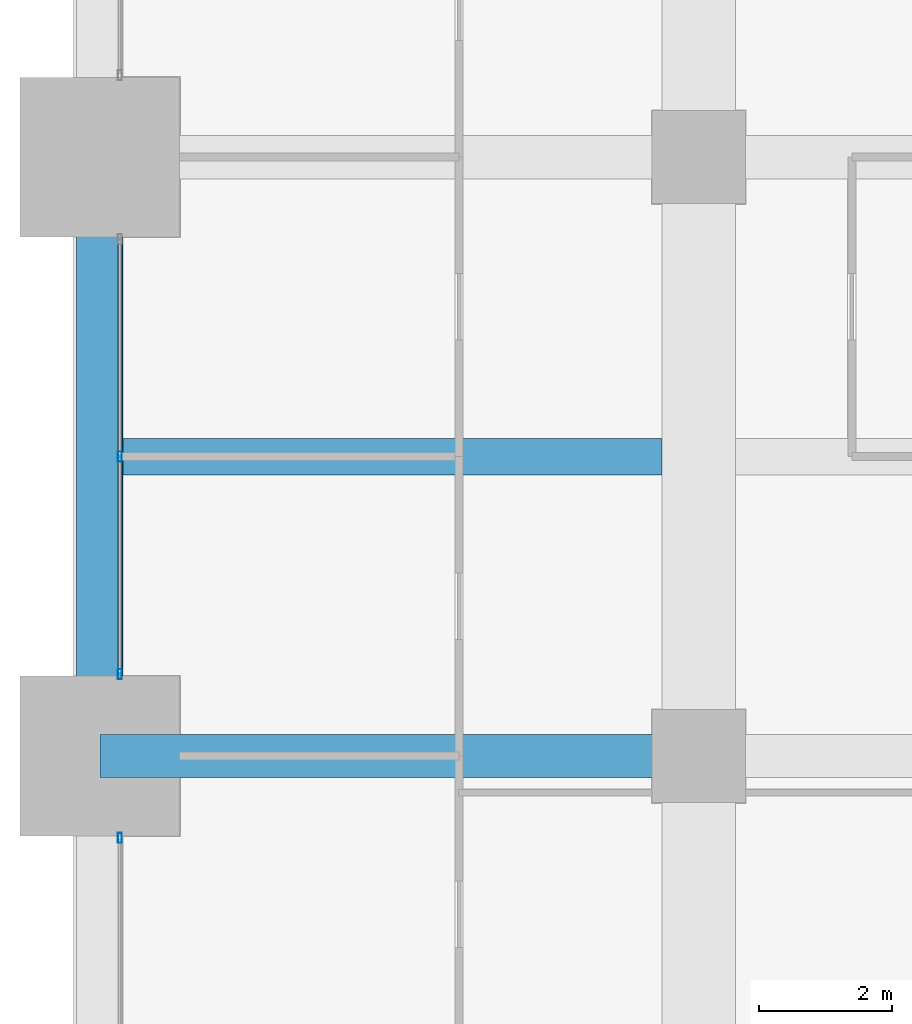
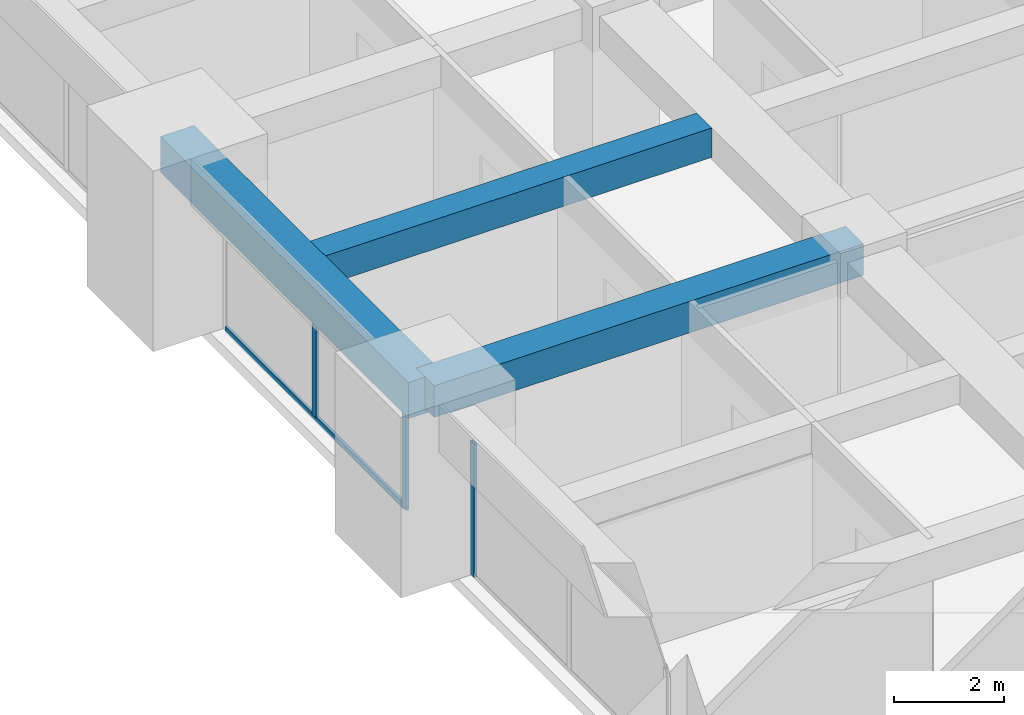
# One storey, part 9 of 34: 4 members, 3 beams, 2 elements without a shape of their own.
"""IFC4 building model written with IfcOpenShell, lengths in metres."""

from ifc_helpers import new_model, si_unit, direction, frame, origin, origin_2d, place, context, subcontext, project, spatial, rectangle, hollow_rectangle, extrude, material, material_profile, profile_set, type_object, element, aggregate, save


model = new_model("IFC4")

# Units and contexts
model_context = context("Model", 3, precision=1e-05, world=origin(), true_north=direction((0.0, 1.0)))
body_context = subcontext(model_context, "Body", "Model", "MODEL_VIEW")
ifc_project = project(units=[si_unit("LENGTHUNIT", "METRE"), si_unit("AREAUNIT", "SQUARE_METRE"), si_unit("VOLUMEUNIT", "CUBIC_METRE"), si_unit("PLANEANGLEUNIT", "RADIAN"), si_unit("MASSUNIT", "GRAM", prefix="KILO")], contexts=[model_context])

# Site, building, storey
site_placement = place(None, origin())
site = spatial("IfcSite", under=ifc_project, at=site_placement, CompositionType="ELEMENT")
building_placement = place(site_placement, origin())
building = spatial("IfcBuilding", under=site, at=building_placement, Name="Zorevar Civic Tower", CompositionType="ELEMENT")
storey_placement = place(building_placement, frame((0.0, 0.0, 214.199951171875)))
storey = spatial("IfcBuildingStorey", under=building, at=storey_placement, Name="L52", CompositionType="ELEMENT", Elevation=214.199951171875)

# Beams
ifc_material_1 = material(Name="Concrete C50/60", Category="concrete")
ifc_material_profile_1 = material_profile(ifc_material_1, rectangle(XDim=0.550048828125, YDim=0.64990234375, at=origin_2d()), Name="RC 550x650")
ifc_profile_set_1 = profile_set([ifc_material_profile_1], Name="Concrete C50/60")
beam_type_1 = type_object("IfcBeamType", Name="Beam RC 550x650", PredefinedType="BEAM", material=ifc_profile_set_1)
beam_1_placement = place(storey_placement, frame((0.35009765625, 22.5, 3.425048828125), z_axis=(1.0, 0.0, 0.0), x_axis=(0.0, 1.0, 0.0)))
element("IfcBeam", 1, at=beam_1_placement, inside=storey, type_object=beam_type_1, Name="Secondary beam L53", PredefinedType="BEAM", context=body_context, shape_type="SweptSolid", body=[
    extrude(rectangle(XDim=0.550048828125, YDim=0.64990234375, at=origin_2d()), origin(), (0.0, 0.0, 1.0), 8.099853515625),
])
ifc_material_2 = material(Name="Concrete C50/60", Category="concrete")
ifc_material_profile_2 = material_profile(ifc_material_2, rectangle(XDim=0.64990234375, YDim=0.699951171875, at=origin_2d()), Name="RC 650x700")
ifc_profile_set_2 = profile_set([ifc_material_profile_2], Name="Concrete C50/60")
beam_type_2 = type_object("IfcBeamType", Name="Beam RC 650x700", PredefinedType="BEAM", material=ifc_profile_set_2)
beam_2_placement = place(storey_placement, frame((0.0, 18.0, 3.400146484375), z_axis=(1.0, 0.0, 0.0), x_axis=(0.0, 1.0, 0.0)))
element("IfcBeam", 2, at=beam_2_placement, inside=storey, type_object=beam_type_2, Name="Girder L53", PredefinedType="BEAM", context=body_context, shape_type="SweptSolid", body=[
    extrude(rectangle(XDim=0.64990234375, YDim=0.699951171875, at=origin_2d()), origin(), (0.0, 0.0, 1.0), 9.0),
])

# Curtain wall, member
ifc_material_3 = material(Name="Dark grey solar-control glass in black aluminium frame", Category="aluminium")
curtain_wall_type = type_object("IfcCurtainWallType", Name="Curtain wall CW4 high zone", PredefinedType="NOTDEFINED", material=ifc_material_3)
curtain_wall_1_placement = place(storey_placement, origin())
curtain_wall_1 = element("IfcCurtainWall", 3, at=curtain_wall_1_placement, inside=storey, type_object=curtain_wall_type, Name="CW4 L52", PredefinedType="NOTDEFINED")
ifc_material_4 = material(Name="Aluminium, black anodised", Category="aluminium")
ifc_material_profile_3 = material_profile(ifc_material_4, hollow_rectangle(XDim=0.06005859375, YDim=0.14990234375, WallThickness=0.00390625, at=origin_2d()), Name="AL 150x60x4")
ifc_profile_set_3 = profile_set([ifc_material_profile_3], Name="Aluminium, black anodised")
member_type_1 = type_object("IfcMemberType", Name="CW4 mullion AL 150x60x4", PredefinedType="MULLION", material=ifc_profile_set_3)
member_1_placement = place(storey_placement, frame((0.300048828125, 16.77001953125, 0.0), z_axis=(0.0, 0.0, 1.0), x_axis=(-1.0, 0.0, 0.0)))
member_1 = element("IfcMember", 4, at=member_1_placement, type_object=member_type_1, Name="CW4 mullion 3", PredefinedType="MULLION", context=body_context, shape_type="SweptSolid", body=[
    extrude(hollow_rectangle(XDim=0.06005859375, YDim=0.14990234375, WallThickness=0.00390625, at=origin_2d()), origin(), (0.0, 0.0, 1.0), 2.949951171875),
])
aggregate(curtain_wall_1, [member_1])

# Curtain wall, members
curtain_wall_2_placement = place(storey_placement, origin())
curtain_wall_2 = element("IfcCurtainWall", 5, at=curtain_wall_2_placement, inside=storey, type_object=curtain_wall_type, Name="CW4 L52", PredefinedType="NOTDEFINED")
member_2_placement = place(storey_placement, frame((0.300048828125, 19.22998046875, 0.0), z_axis=(0.0, 0.0, 1.0), x_axis=(-1.0, 0.0, 0.0)))
member_2 = element("IfcMember", 6, at=member_2_placement, type_object=member_type_1, Name="CW4 mullion 1", PredefinedType="MULLION", context=body_context, shape_type="SweptSolid", body=[
    extrude(hollow_rectangle(XDim=0.06005859375, YDim=0.14990234375, WallThickness=0.00390625, at=origin_2d()), origin(), (0.0, 0.0, 1.0), 2.949951171875),
])
member_3_placement = place(storey_placement, frame((0.300048828125, 22.5, 0.06005859375), z_axis=(0.0, 0.0, 1.0), x_axis=(-1.0, 0.0, 0.0)))
member_3 = element("IfcMember", 7, at=member_3_placement, type_object=member_type_1, Name="CW4 mullion 2", PredefinedType="MULLION", context=body_context, shape_type="SweptSolid", body=[
    extrude(hollow_rectangle(XDim=0.06005859375, YDim=0.14990234375, WallThickness=0.00390625, at=origin_2d()), origin(), (0.0, 0.0, 1.0), 2.889892578125),
])
ifc_material_5 = material(Name="Aluminium, black anodised", Category="aluminium")
ifc_material_profile_4 = material_profile(ifc_material_5, hollow_rectangle(XDim=0.06005859375, YDim=0.1201171875, WallThickness=0.0029296875, at=origin_2d()), Name="AL 120x60x3")
ifc_profile_set_4 = profile_set([ifc_material_profile_4], Name="Aluminium, black anodised")
member_type_2 = type_object("IfcMemberType", Name="CW4 transom AL 120x60x3", PredefinedType="USERDEFINED", material=ifc_profile_set_4)
member_4_placement = place(storey_placement, frame((0.300048828125, 19.260009765625, 0.030029296875), z_axis=(0.0, 1.0, 0.0), x_axis=(-1.0, 0.0, 0.0)))
member_4 = element("IfcMember", 8, at=member_4_placement, type_object=member_type_2, Name="CW4 sill transom", ObjectType="TRANSOM", PredefinedType="USERDEFINED", context=body_context, shape_type="SweptSolid", body=[
    extrude(hollow_rectangle(XDim=0.06005859375, YDim=0.1201171875, WallThickness=0.0029296875, at=origin_2d()), origin(), (0.0, 0.0, 1.0), 6.47998046875),
])
aggregate(curtain_wall_2, [member_2, member_3, member_4])

# Beam
ifc_material_6 = material(Name="Concrete C50/60", Category="concrete")
ifc_material_profile_5 = material_profile(ifc_material_6, rectangle(XDim=0.699951171875, YDim=0.800048828125, at=origin_2d()), Name="RC 700x800")
ifc_profile_set_5 = profile_set([ifc_material_profile_5], Name="Concrete C50/60")
beam_type_3 = type_object("IfcBeamType", Name="Edge beam RC 700x800", PredefinedType="SPANDREL", material=ifc_profile_set_5)
beam_3_placement = place(storey_placement, frame((0.0, 18.0, 3.35009765625), z_axis=(0.0, 1.0, 0.0), x_axis=(-1.0, 0.0, 0.0)))
element("IfcBeam", 9, at=beam_3_placement, inside=storey, type_object=beam_type_3, Name="Edge beam L53", PredefinedType="SPANDREL", context=body_context, shape_type="SweptSolid", body=[
    extrude(rectangle(XDim=0.699951171875, YDim=0.800048828125, at=origin_2d()), origin(), (0.0, 0.0, 1.0), 9.0),
])

save(model, "model.ifc")
